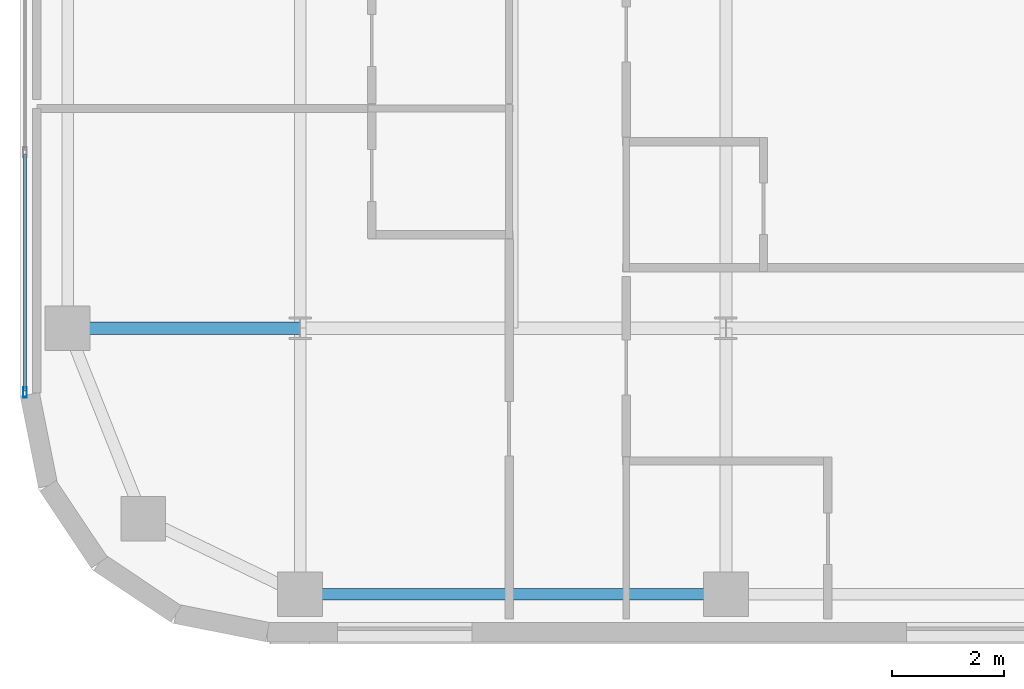
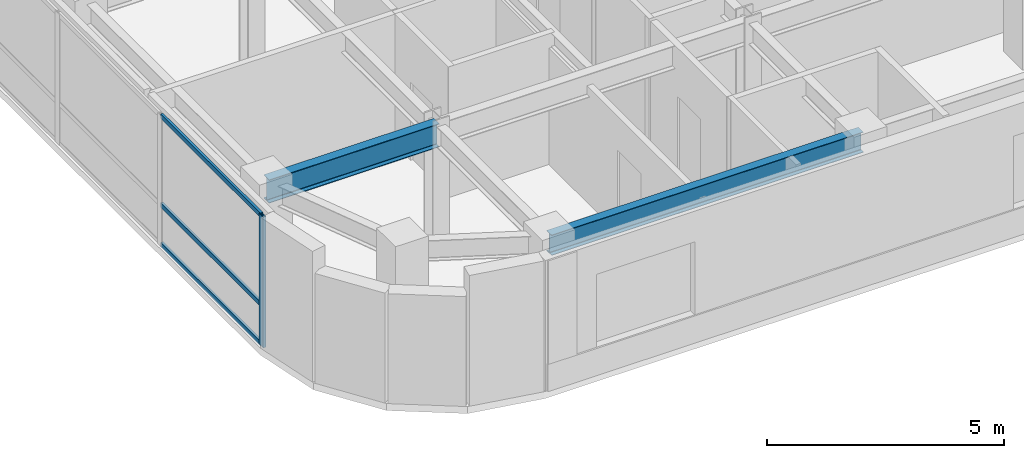
# One storey, part 3 of 28: 4 members, 2 beams, 1 element without a shape of its own.
"""IFC4 building model written with IfcOpenShell, lengths in metres."""

from ifc_helpers import new_model, si_unit, direction, frame, origin, origin_2d, place, context, subcontext, project, spatial, hollow_rectangle, i_section, extrude, source, transform, mapped, material, layer, layer_set, material_profile, profile_set, type_object, type_shapes, element, aggregate, save


model = new_model("IFC4")

# Units and contexts
model_context = context("Model", 3, precision=1e-05, world=origin(), true_north=direction((0.0, 1.0)))
body_context = subcontext(model_context, "Body", "Model", "MODEL_VIEW")
ifc_project = project(units=[si_unit("LENGTHUNIT", "METRE"), si_unit("AREAUNIT", "SQUARE_METRE"), si_unit("VOLUMEUNIT", "CUBIC_METRE"), si_unit("PLANEANGLEUNIT", "RADIAN"), si_unit("MASSUNIT", "GRAM", prefix="KILO")], contexts=[model_context])

# Site, building, storey
site_placement = place(None, origin())
site = spatial("IfcSite", under=ifc_project, at=site_placement, CompositionType="ELEMENT")
building_placement = place(site_placement, origin())
building = spatial("IfcBuilding", under=site, at=building_placement, Name="Tolvann Quenvar Hotel", CompositionType="ELEMENT")
storey_placement = place(building_placement, frame((0.0, 0.0, 198.199951171875)))
storey = spatial("IfcBuildingStorey", under=building, at=storey_placement, Name="L52", CompositionType="ELEMENT", Elevation=198.199951171875)

# Beams
ifc_material_1 = material(Name="Steel Grade 350", Category="steel")
ifc_material_profile_1 = material_profile(ifc_material_1, i_section(OverallWidth=0.208984375, OverallDepth=0.528076171875, WebThickness=0.009521484375, FlangeThickness=0.01318359375, FilletRadius=0.013916015625, at=origin_2d()), Name="530UB82")
ifc_profile_set_1 = profile_set([ifc_material_profile_1], Name="Steel Grade 350")
beam_type_1 = type_object("IfcBeamType", Name="BM_SPAND_530UB82", PredefinedType="SPANDREL", material=ifc_profile_set_1)
shared_shape_1 = source(origin(), body_context, "Body", "SweptSolid", [
    extrude(i_section(OverallWidth=0.208984375, OverallDepth=0.528076171875, WebThickness=0.009521484375, FlangeThickness=0.01318359375, FilletRadius=0.013916015625, at=origin_2d()), origin(), (0.0, 0.0, 1.0), 7.599853515625),
])
type_shapes(beam_type_1, [shared_shape_1])
beam_1_placement = place(storey_placement, frame((7.60009765625, 3.449951171875, 3.10595703125), z_axis=(1.0, 0.0, 0.0), x_axis=(0.0, 1.0, 0.0)))
element("IfcBeam", 1, at=beam_1_placement, inside=storey, type_object=beam_type_1, Name="BM-L52-EW-2-C2-D2", PredefinedType="SPANDREL", context=body_context, shape_type="MappedRepresentation", body=[
    mapped(shared_shape_1, transform((0.0, 0.0, 0.0), x_axis=(1.0, 0.0, 0.0), y_axis=(0.0, 1.0, 0.0), z_axis=(0.0, 0.0, 1.0), scale=1.0)),
])
ifc_material_profile_2 = material_profile(ifc_material_1, i_section(OverallWidth=0.22802734375, OverallDepth=0.60205078125, WebThickness=0.010498046875, FlangeThickness=0.014892578125, FilletRadius=0.013916015625, at=origin_2d()), Name="610UB101")
ifc_profile_set_2 = profile_set([ifc_material_profile_2], Name="Steel Grade 350")
beam_type_2 = type_object("IfcBeamType", Name="BM_GIRD_610UB101", PredefinedType="BEAM", material=ifc_profile_set_2)
shared_shape_2 = source(origin(), body_context, "Body", "SweptSolid", [
    extrude(i_section(OverallWidth=0.22802734375, OverallDepth=0.60205078125, WebThickness=0.010498046875, FlangeThickness=0.014892578125, FilletRadius=0.013916015625, at=origin_2d()), origin(), (0.0, 0.0, 1.0), 4.150146484375),
])
type_shapes(beam_type_2, [shared_shape_2])
beam_2_placement = place(storey_placement, frame((3.449951171875, 8.199951171875, 3.069091796875), z_axis=(1.0, 0.0, 0.0), x_axis=(0.0, 1.0, 0.0)))
element("IfcBeam", 2, at=beam_2_placement, inside=storey, type_object=beam_type_2, Name="BM-L52-EW-3-B3-C3", PredefinedType="BEAM", context=body_context, shape_type="MappedRepresentation", body=[
    mapped(shared_shape_2, transform((0.0, 0.0, 0.0), x_axis=(1.0, 0.0, 0.0), y_axis=(0.0, 1.0, 0.0), z_axis=(0.0, 0.0, 1.0), scale=1.0)),
])

# Curtain wall, members
ifc_material_2 = material(Name="Thermally broken anodised architectural aluminium 6063-T6 and laminated low-E glass", Category="aluminium")
ifc_layer = layer(ifc_material_2, 0.179931640625)
ifc_layer_set = layer_set([ifc_layer], Name="Thermally broken anodised architectural aluminium 6063-T6 and laminated low-E glass")
curtain_wall_type = type_object("IfcCurtainWallType", Name="CW_SYS_BAND_04", PredefinedType="USERDEFINED", material=ifc_layer_set)
curtain_wall_placement = place(storey_placement, origin())
curtain_wall = element("IfcCurtainWall", 3, at=curtain_wall_placement, inside=storey, type_object=curtain_wall_type, Name="Curtain Wall CW-BAND-04 (CWR-L52-E23)", ObjectType="UNITISED CURTAIN WALL", PredefinedType="USERDEFINED")
ifc_material_3 = material(Name="Anodised architectural aluminium 6063-T6 framing", Category="aluminium")
ifc_material_profile_3 = material_profile(ifc_material_3, hollow_rectangle(XDim=0.070068359375, YDim=0.179931640625, WallThickness=0.00390625, at=origin_2d()), Name="180x70x4RHS")
ifc_profile_set_3 = profile_set([ifc_material_profile_3], Name="Anodised architectural aluminium 6063-T6 framing")
member_type_1 = type_object("IfcMemberType", Name="CW_MULL_180x70", PredefinedType="MULLION", material=ifc_profile_set_3)
shared_shape_3 = source(origin(), body_context, "Body", "SweptSolid", [
    extrude(hollow_rectangle(XDim=0.070068359375, YDim=0.179931640625, WallThickness=0.00390625, at=origin_2d()), origin(), (0.0, 0.0, 1.0), 3.3701171875),
])
type_shapes(member_type_1, [shared_shape_3])
member_1_placement = place(storey_placement, frame((2.68994140625, 7.05224609375, 0.0), z_axis=(0.0, 0.0, 1.0), x_axis=(1.0, 0.0, 0.0)))
member_1 = element("IfcMember", 4, at=member_1_placement, type_object=member_type_1, Name="CW-BAND-04 mullion 9", PredefinedType="MULLION", context=body_context, shape_type="MappedRepresentation", body=[
    mapped(shared_shape_3, transform((0.0, 0.0, 0.0), x_axis=(1.0, 0.0, 0.0), y_axis=(0.0, 1.0, 0.0), z_axis=(0.0, 0.0, 1.0), scale=1.0)),
])
ifc_material_profile_4 = material_profile(ifc_material_3, hollow_rectangle(XDim=0.06005859375, YDim=0.1201171875, WallThickness=0.00341796875, at=origin_2d()), Name="120x60x3.5RHS")
ifc_profile_set_4 = profile_set([ifc_material_profile_4], Name="Anodised architectural aluminium 6063-T6 framing")
member_type_2 = type_object("IfcMemberType", Name="CW_TRAN_120x60", PredefinedType="USERDEFINED", material=ifc_profile_set_4)
shared_shape_4 = source(origin(), body_context, "Body", "SweptSolid", [
    extrude(hollow_rectangle(XDim=0.06005859375, YDim=0.1201171875, WallThickness=0.00341796875, at=origin_2d()), origin(), (0.0, 0.0, 1.0), 4.2158203125),
])
type_shapes(member_type_2, [shared_shape_4])
member_2_placement = place(storey_placement, frame((2.68994140625, 11.302978515625, 0.030029296875), z_axis=(0.0, -1.0, 0.0), x_axis=(1.0, 0.0, 0.0)))
member_2 = element("IfcMember", 5, at=member_2_placement, type_object=member_type_2, Name="CW-BAND-04 transom 8.1", ObjectType="TRANSOM", PredefinedType="USERDEFINED", context=body_context, shape_type="MappedRepresentation", body=[
    mapped(shared_shape_4, transform((0.0, 0.0, 0.0), x_axis=(1.0, 0.0, 0.0), y_axis=(0.0, 1.0, 0.0), z_axis=(0.0, 0.0, 1.0), scale=1.0)),
])
member_3_placement = place(storey_placement, frame((2.68994140625, 11.302978515625, 1.050048828125), z_axis=(0.0, -1.0, 0.0), x_axis=(1.0, 0.0, 0.0)))
member_3 = element("IfcMember", 6, at=member_3_placement, type_object=member_type_2, Name="CW-BAND-04 transom 8.2", ObjectType="TRANSOM", PredefinedType="USERDEFINED", context=body_context, shape_type="MappedRepresentation", body=[
    mapped(shared_shape_4, transform((0.0, 0.0, 0.0), x_axis=(1.0, 0.0, 0.0), y_axis=(0.0, 1.0, 0.0), z_axis=(0.0, 0.0, 1.0), scale=1.0)),
])
member_4_placement = place(storey_placement, frame((2.68994140625, 11.302978515625, 3.340087890625), z_axis=(0.0, -1.0, 0.0), x_axis=(1.0, 0.0, 0.0)))
member_4 = element("IfcMember", 7, at=member_4_placement, type_object=member_type_2, Name="CW-BAND-04 transom 8.3", ObjectType="TRANSOM", PredefinedType="USERDEFINED", context=body_context, shape_type="MappedRepresentation", body=[
    mapped(shared_shape_4, transform((0.0, 0.0, 0.0), x_axis=(1.0, 0.0, 0.0), y_axis=(0.0, 1.0, 0.0), z_axis=(0.0, 0.0, 1.0), scale=1.0)),
])
aggregate(curtain_wall, [member_1, member_2, member_3, member_4])

save(model, "model.ifc")
